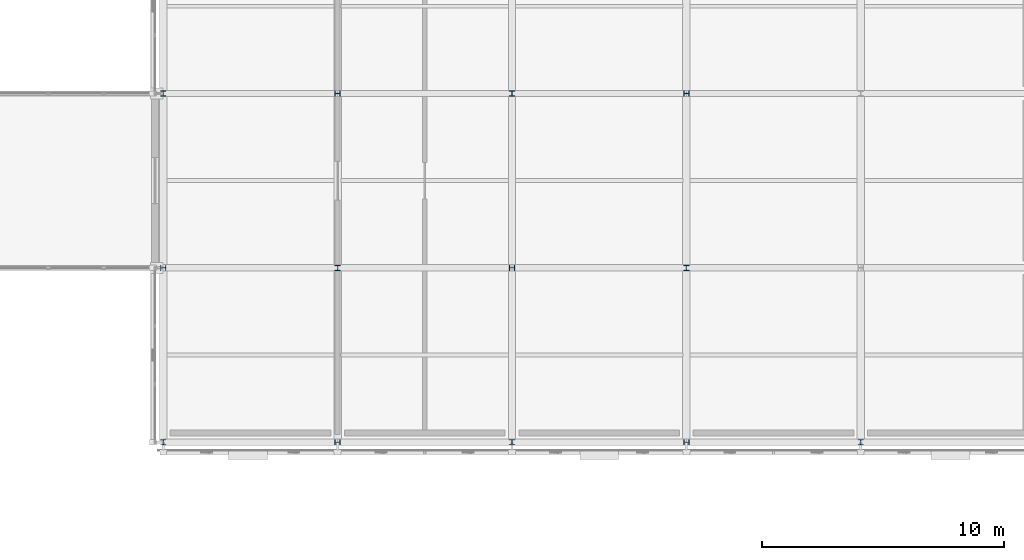
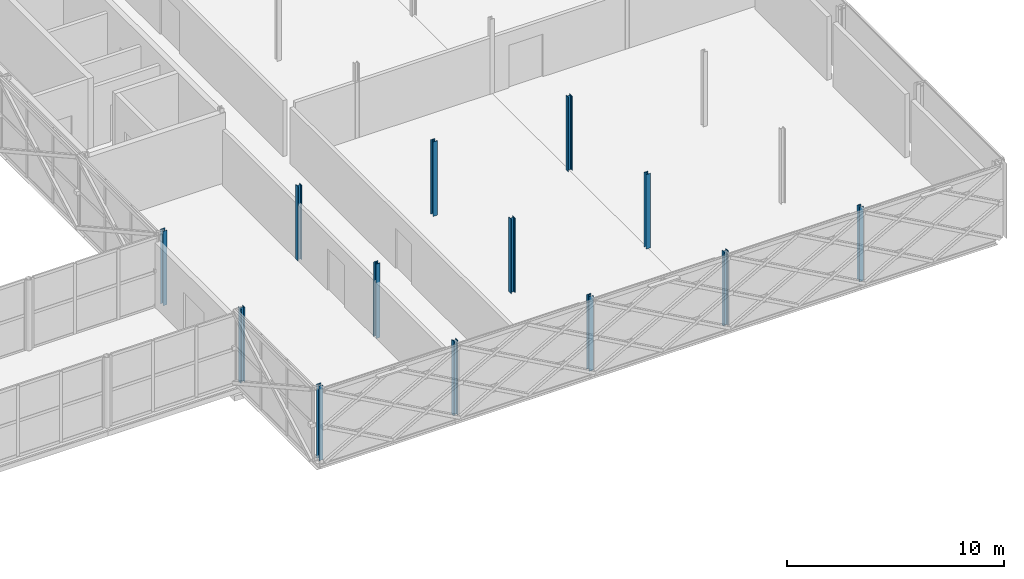
# One storey, part 14 of 126: 13 columns.
"""IFC4 building model written with IfcOpenShell, lengths in metres."""

from ifc_helpers import new_model, si_unit, direction, frame, origin, origin_2d, place, context, subcontext, project, spatial, i_section, extrude, material, material_profile, profile_set, type_object, element, save


model = new_model("IFC4")

# Units and contexts
model_context = context("Model", 3, precision=1e-05, world=origin(), true_north=direction((0.0, 1.0)))
body_context = subcontext(model_context, "Body", "Model", "MODEL_VIEW")
ifc_project = project(units=[si_unit("LENGTHUNIT", "METRE"), si_unit("AREAUNIT", "SQUARE_METRE"), si_unit("VOLUMEUNIT", "CUBIC_METRE"), si_unit("PLANEANGLEUNIT", "RADIAN"), si_unit("MASSUNIT", "GRAM", prefix="KILO")], contexts=[model_context])

# Site, building, storey
site_placement = place(None, origin())
site = spatial("IfcSite", under=ifc_project, at=site_placement, CompositionType="ELEMENT")
building_placement = place(site_placement, origin())
building = spatial("IfcBuilding", under=site, at=building_placement, Name="Zlatovets Crest Museum", CompositionType="ELEMENT")
storey_placement = place(building_placement, frame((0.0, 0.0, 8.699951171875)))
storey = spatial("IfcBuildingStorey", under=building, at=storey_placement, Name="L02", CompositionType="ELEMENT", Elevation=8.699951171875)

# Columns
ifc_material = material(Name="Structural steel S355J2", Category="steel")
ifc_material_profile = material_profile(ifc_material, i_section(OverallWidth=0.219970703125, OverallDepth=0.219970703125, WebThickness=0.009521484375, FlangeThickness=0.01611328125, FilletRadius=0.01806640625, at=origin_2d()), Name="HEB 220")
ifc_profile_set = profile_set([ifc_material_profile], Name="Structural steel S355J2")
column_type = type_object("IfcColumnType", Name="Col_C-19", PredefinedType="COLUMN", material=ifc_profile_set)
for number, where, z_axis, x_axis, name in (
    (1, (129.60009765625, 14.39990234375, 0.0), (0.0, 0.0, 1.0), (1.0, 0.0, 0.0), "V5 L02 Column (129.6, 14.4)"),
    (2, (129.60009765625, 21.60009765625, 0.0), (0.0, 0.0, 1.0), (0.0, 1.0, 0.0), "V5 L02 Column (129.6, 21.6)"),
    (3, (129.60009765625, 28.800048828125, 0.0), (0.0, 0.0, 1.0), (1.0, 0.0, 0.0), "V5 L02 Column (129.6, 28.8)"),
    (4, (136.800048828125, 14.39990234375, 0.0), (0.0, 0.0, 1.0), (0.0, 1.0, 0.0), "V5 L02 Column (136.8, 14.4)"),
    (5, (136.800048828125, 21.60009765625, 0.0), (0.0, 0.0, 1.0), (1.0, 0.0, 0.0), "V5 L02 Column (136.8, 21.6)"),
    (6, (136.800048828125, 28.800048828125, 0.0), (0.0, 0.0, 1.0), (0.0, 1.0, 0.0), "V5 L02 Column (136.8, 28.8)"),
    (7, (144.0, 14.39990234375, 0.0), (0.0, 0.0, 1.0), (1.0, 0.0, 0.0), "V5 L02 Column (144.0, 14.4)"),
    (8, (144.0, 21.60009765625, 0.0), (0.0, 0.0, 1.0), (0.0, 1.0, 0.0), "V5 L02 Column (144.0, 21.6)"),
    (9, (144.0, 28.800048828125, 0.0), (0.0, 0.0, 1.0), (1.0, 0.0, 0.0), "V5 L02 Column (144.0, 28.8)"),
    (10, (151.199951171875, 14.39990234375, 0.0), (0.0, 0.0, 1.0), (0.0, 1.0, 0.0), "V5 L02 Column (151.2, 14.4)"),
    (11, (151.199951171875, 21.60009765625, 0.0), (0.0, 0.0, 1.0), (1.0, 0.0, 0.0), "V5 L02 Column (151.2, 21.6)"),
    (12, (151.199951171875, 28.800048828125, 0.0), (0.0, 0.0, 1.0), (0.0, 1.0, 0.0), "V5 L02 Column (151.2, 28.8)"),
    (13, (158.39990234375, 14.39990234375, 0.0), (0.0, 0.0, 1.0), (1.0, 0.0, 0.0), "V5 L02 Column (158.4, 14.4)"),
):
    element("IfcColumn", number, at=place(storey_placement, frame(where, z_axis=z_axis, x_axis=x_axis)), inside=storey, type_object=column_type, Name=name, PredefinedType="COLUMN", context=body_context, shape_type="SweptSolid", body=[
        extrude(i_section(OverallWidth=0.219970703125, OverallDepth=0.219970703125, WebThickness=0.009521484375, FlangeThickness=0.01611328125, FilletRadius=0.01806640625, at=origin_2d()), origin(), (0.0, 0.0, 1.0), 4.199951171875),
    ])

save(model, "model.ifc")
